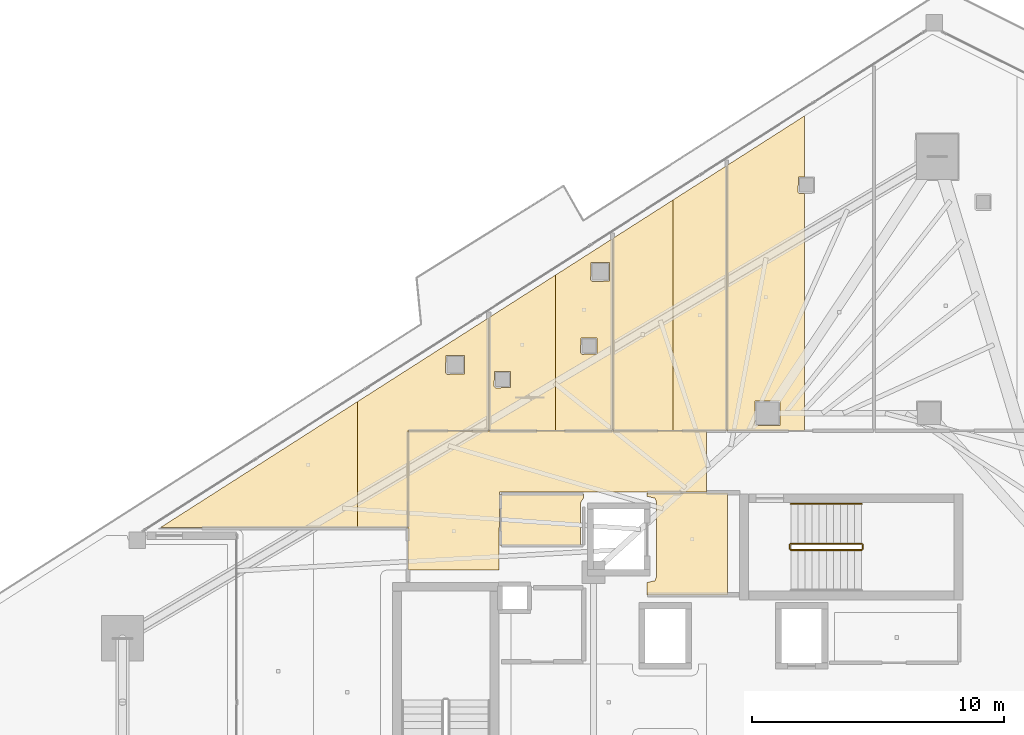
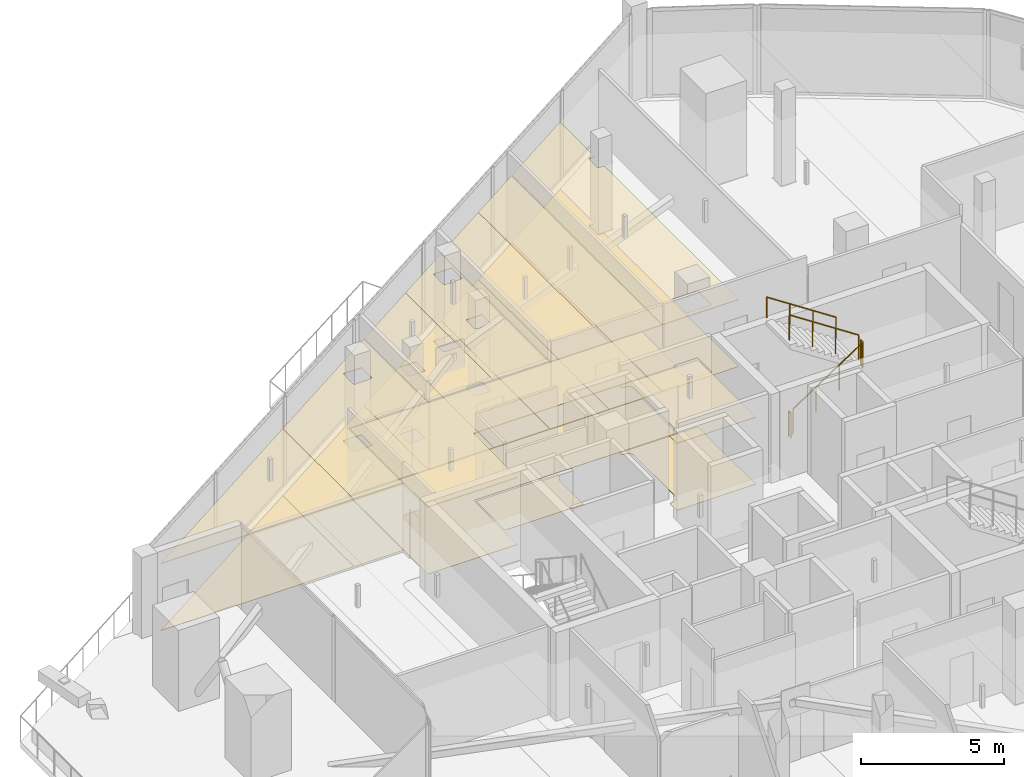
# One storey, part 39 of 40: 19 coverings, 5 railings.
"""IFC4 building model written with IfcOpenShell, lengths in metres."""

from ifc_helpers import new_model, si_unit, direction, frame, origin, origin_2d, place, context, subcontext, project, spatial, polyline, circle, outline, extrude, material, layer, layer_set, type_object, element, save


model = new_model("IFC4")

# Units and contexts
model_context = context("Model", 3, precision=1e-05, world=origin(), true_north=direction((0.0, 1.0)))
body_context = subcontext(model_context, "Body", "Model", "MODEL_VIEW")
ifc_project = project(units=[si_unit("LENGTHUNIT", "METRE"), si_unit("AREAUNIT", "SQUARE_METRE"), si_unit("VOLUMEUNIT", "CUBIC_METRE"), si_unit("PLANEANGLEUNIT", "RADIAN"), si_unit("MASSUNIT", "GRAM", prefix="KILO")], contexts=[model_context])

# Site, building, storey
site_placement = place(None, origin())
site = spatial("IfcSite", under=ifc_project, at=site_placement, CompositionType="ELEMENT")
building_placement = place(site_placement, origin())
building = spatial("IfcBuilding", under=site, at=building_placement, Name="Qorvath Tower", CompositionType="ELEMENT")
storey_placement = place(building_placement, frame((0.0, 0.0, 225.300048828125)))
storey = spatial("IfcBuildingStorey", under=building, at=storey_placement, Name="L52", CompositionType="ELEMENT", Elevation=225.300048828125)

# Coverings
ifc_material_1 = material(Name="Acoustic mineral fibre ceiling tile", Category="gypsum")
ifc_layer_1 = layer(ifc_material_1, 0.030029296875)
ifc_layer_set_1 = layer_set([ifc_layer_1], Name="COV-CEIL")
covering_type_1 = type_object("IfcCoveringType", Name="COV-CEIL", PredefinedType="CEILING", material=ifc_layer_set_1)
covering_1_placement = place(storey_placement, frame((0.0, 0.0, 2.849853515625)))
element("IfcCovering", 1, at=covering_1_placement, inside=storey, type_object=covering_type_1, Name="L52 Suspended Acoustic Ceiling 001", PredefinedType="CEILING", context=body_context, shape_type="SweptSolid", body=[
    extrude(outline(polyline([(-25.18994140625, 4.2548828125), (-25.18994140625, 8.294921875), (-28.375, 8.294921875), (-28.375, 8.159912109375), (-28.063232421875, 8.086669921875), (-27.989990234375, 7.909912109375), (-27.989990234375, 4.989990234375), (-28.063232421875, 4.813232421875), (-28.375, 4.739990234375), (-28.375, 4.2548828125), (-25.18994140625, 4.2548828125)])), origin(), (0.0, 0.0, 1.0), 0.030029296875),
])
covering_2_placement = place(storey_placement, frame((0.0, 0.0, 2.849853515625)))
element("IfcCovering", 2, at=covering_2_placement, inside=storey, type_object=covering_type_1, Name="L52 Suspended Acoustic Ceiling 010", PredefinedType="CEILING", context=body_context, shape_type="SweptSolid", body=[
    extrude(outline(polyline([(-26.019775390625, 8.324951171875), (-26.019775390625, 10.7451171875), (-37.844970703125, 10.7451171875), (-37.844970703125, 5.239990234375), (-34.2509765625, 5.239990234375), (-34.219970703125, 8.324951171875), (-26.019775390625, 8.324951171875)])), origin(), (0.0, 0.0, 1.0), 0.030029296875),
])
covering_3_placement = place(storey_placement, frame((0.0, 0.0, 2.849853515625)))
element("IfcCovering", 3, at=covering_3_placement, inside=storey, type_object=covering_type_1, Name="L52 Suspended Acoustic Ceiling 012", PredefinedType="CEILING", context=body_context, shape_type="SweptSolid", body=[
    extrude(outline(polyline([(-32.0048828125, 10.762939453125), (-32.0048828125, 16.93017578125), (-34.64501953125, 15.24267578125), (-34.64501953125, 10.762939453125), (-32.0048828125, 10.762939453125)]), holes=[polyline([(-34.439208984375, 12.517578125), (-34.421630859375, 13.10986328125), (-33.786865234375, 13.10986328125), (-33.786865234375, 12.47509765625), (-34.379150390625, 12.45751953125), (-34.439208984375, 12.517578125)])]), origin(), (0.0, 0.0, 1.0), 0.030029296875),
])
covering_4_placement = place(storey_placement, frame((0.0, 0.0, 2.849853515625)))
element("IfcCovering", 4, at=covering_4_placement, inside=storey, type_object=covering_type_1, Name="L52 Suspended Acoustic Ceiling 013", PredefinedType="CEILING", context=body_context, shape_type="SweptSolid", body=[
    extrude(outline(polyline([(-29.743896484375, 10.762939453125), (-29.743896484375, 18.375244140625), (-32.0048828125, 16.93017578125), (-32.0048828125, 10.762939453125), (-29.743896484375, 10.762939453125)]), holes=[polyline([(-30.60986328125, 16.734619140625), (-30.59228515625, 17.427001953125), (-29.857421875, 17.427001953125), (-29.857421875, 16.692138671875), (-30.5498046875, 16.674560546875), (-30.60986328125, 16.734619140625)]), polyline([(-31.01220703125, 13.849365234375), (-30.99462890625, 14.441650390625), (-30.35986328125, 14.441650390625), (-30.35986328125, 13.806884765625), (-30.9521484375, 13.789306640625), (-31.01220703125, 13.849365234375)])]), origin(), (0.0, 0.0, 1.0), 0.030029296875),
])
covering_5_placement = place(storey_placement, frame((0.0, 0.0, 2.849853515625)))
element("IfcCovering", 5, at=covering_5_placement, inside=storey, type_object=covering_type_1, Name="L52 Suspended Acoustic Ceiling 014", PredefinedType="CEILING", context=body_context, shape_type="SweptSolid", body=[
    extrude(outline(polyline([(-29.725830078125, 10.762939453125), (-27.3525390625, 10.762939453125), (-27.3525390625, 19.903564453125), (-29.725830078125, 18.38671875), (-29.725830078125, 10.762939453125)])), origin(), (0.0, 0.0, 1.0), 0.030029296875),
])
covering_6_placement = place(storey_placement, frame((0.0, 0.0, 2.849853515625)))
element("IfcCovering", 6, at=covering_6_placement, inside=storey, type_object=covering_type_1, Name="L52 Suspended Acoustic Ceiling 015", PredefinedType="CEILING", context=body_context, shape_type="SweptSolid", body=[
    extrude(outline(polyline([(-27.3525390625, 19.903564453125), (-27.3525390625, 10.762939453125), (-25.218017578125, 10.762939453125), (-25.218017578125, 21.267822265625), (-27.3525390625, 19.903564453125)])), origin(), (0.0, 0.0, 1.0), 0.030029296875),
])
covering_7_placement = place(storey_placement, frame((0.0, 0.0, 2.849853515625)))
element("IfcCovering", 7, at=covering_7_placement, inside=storey, type_object=covering_type_1, Name="L52 Suspended Acoustic Ceiling 016", PredefinedType="CEILING", context=body_context, shape_type="SweptSolid", body=[
    extrude(outline(polyline([(-25.199951171875, 10.762939453125), (-22.124267578125, 10.762939453125), (-22.124267578125, 20.166015625), (-22.328125, 20.159912109375), (-22.38818359375, 20.219970703125), (-22.37060546875, 20.812255859375), (-22.124267578125, 20.812255859375), (-22.124267578125, 23.2451171875), (-25.199951171875, 21.279296875), (-25.199951171875, 10.762939453125)]), holes=[polyline([(-24.092529296875, 10.95751953125), (-24.092529296875, 11.9423828125), (-23.107666015625, 11.9423828125), (-23.107666015625, 10.95751953125), (-24.092529296875, 10.95751953125)])]), origin(), (0.0, 0.0, 1.0), 0.030029296875),
])
covering_8_placement = place(storey_placement, frame((0.0, 0.0, 2.849853515625)))
element("IfcCovering", 8, at=covering_8_placement, inside=storey, type_object=covering_type_1, Name="L52 Suspended Acoustic Ceiling 043", PredefinedType="CEILING", context=body_context, shape_type="SweptSolid", body=[
    extrude(outline(polyline([(-39.851318359375, 6.923828125), (-39.851318359375, 11.915283203125), (-47.6611328125, 6.923828125), (-39.851318359375, 6.923828125)])), origin(), (0.0, 0.0, 1.0), 0.030029296875),
])
covering_9_placement = place(storey_placement, frame((0.0, 0.0, 2.849853515625)))
element("IfcCovering", 9, at=covering_9_placement, inside=storey, type_object=covering_type_1, Name="L52 Suspended Acoustic Ceiling 044", PredefinedType="CEILING", context=body_context, shape_type="SweptSolid", body=[
    extrude(outline(polyline([(-37.85791015625, 10.762939453125), (-34.6630859375, 10.762939453125), (-34.6630859375, 15.231201171875), (-39.851318359375, 11.915283203125), (-39.851318359375, 6.923828125), (-37.863037109375, 6.923828125), (-37.85791015625, 10.762939453125)]), holes=[polyline([(-36.36572265625, 13.055908203125), (-36.34814453125, 13.748291015625), (-35.61328125, 13.748291015625), (-35.61328125, 13.013427734375), (-36.3056640625, 12.995849609375), (-36.36572265625, 13.055908203125)])]), origin(), (0.0, 0.0, 1.0), 0.030029296875),
])
ifc_material_2 = material(Name="Low-VOC modular carpet tile", Category="textile")
ifc_layer_2 = layer(ifc_material_2, 0.014892578125)
ifc_layer_set_2 = layer_set([ifc_layer_2], Name="COV-FLOOR-CPT")
covering_type_2 = type_object("IfcCoveringType", Name="COV-FLOOR-CPT", PredefinedType="FLOORING", material=ifc_layer_set_2)
covering_10_placement = place(storey_placement, origin())
element("IfcCovering", 10, at=covering_10_placement, inside=storey, type_object=covering_type_2, Name="L52 Floor Finish 012", PredefinedType="FLOORING", context=body_context, shape_type="SweptSolid", body=[
    extrude(outline(polyline([(-32.0048828125, 10.762939453125), (-32.0048828125, 16.93017578125), (-34.64501953125, 15.24267578125), (-34.64501953125, 10.762939453125), (-32.0048828125, 10.762939453125)]), holes=[polyline([(-34.439208984375, 12.517578125), (-34.421630859375, 13.10986328125), (-33.786865234375, 13.10986328125), (-33.786865234375, 12.47509765625), (-34.379150390625, 12.45751953125), (-34.439208984375, 12.517578125)])]), origin(), (0.0, 0.0, 1.0), 0.014892578125),
])
covering_11_placement = place(storey_placement, origin())
element("IfcCovering", 11, at=covering_11_placement, inside=storey, type_object=covering_type_2, Name="L52 Floor Finish 013", PredefinedType="FLOORING", context=body_context, shape_type="SweptSolid", body=[
    extrude(outline(polyline([(-29.743896484375, 10.762939453125), (-29.743896484375, 18.375244140625), (-32.0048828125, 16.93017578125), (-32.0048828125, 10.762939453125), (-29.743896484375, 10.762939453125)]), holes=[polyline([(-30.60986328125, 16.734619140625), (-30.59228515625, 17.427001953125), (-29.857421875, 17.427001953125), (-29.857421875, 16.692138671875), (-30.5498046875, 16.674560546875), (-30.60986328125, 16.734619140625)]), polyline([(-31.01220703125, 13.849365234375), (-30.99462890625, 14.441650390625), (-30.35986328125, 14.441650390625), (-30.35986328125, 13.806884765625), (-30.9521484375, 13.789306640625), (-31.01220703125, 13.849365234375)])]), origin(), (0.0, 0.0, 1.0), 0.014892578125),
])
covering_12_placement = place(storey_placement, origin())
element("IfcCovering", 12, at=covering_12_placement, inside=storey, type_object=covering_type_2, Name="L52 Floor Finish 014", PredefinedType="FLOORING", context=body_context, shape_type="SweptSolid", body=[
    extrude(outline(polyline([(-29.725830078125, 10.762939453125), (-27.3525390625, 10.762939453125), (-27.3525390625, 19.903564453125), (-29.725830078125, 18.38671875), (-29.725830078125, 10.762939453125)])), origin(), (0.0, 0.0, 1.0), 0.014892578125),
])
covering_13_placement = place(storey_placement, origin())
element("IfcCovering", 13, at=covering_13_placement, inside=storey, type_object=covering_type_2, Name="L52 Floor Finish 015", PredefinedType="FLOORING", context=body_context, shape_type="SweptSolid", body=[
    extrude(outline(polyline([(-27.3525390625, 19.903564453125), (-27.3525390625, 10.762939453125), (-25.218017578125, 10.762939453125), (-25.218017578125, 21.267822265625), (-27.3525390625, 19.903564453125)])), origin(), (0.0, 0.0, 1.0), 0.014892578125),
])
covering_14_placement = place(storey_placement, origin())
element("IfcCovering", 14, at=covering_14_placement, inside=storey, type_object=covering_type_2, Name="L52 Floor Finish 016", PredefinedType="FLOORING", context=body_context, shape_type="SweptSolid", body=[
    extrude(outline(polyline([(-25.199951171875, 10.762939453125), (-22.124267578125, 10.762939453125), (-22.124267578125, 20.166015625), (-22.328125, 20.159912109375), (-22.38818359375, 20.219970703125), (-22.37060546875, 20.812255859375), (-22.124267578125, 20.812255859375), (-22.124267578125, 23.2451171875), (-25.199951171875, 21.279296875), (-25.199951171875, 10.762939453125)]), holes=[polyline([(-24.092529296875, 10.95751953125), (-24.092529296875, 11.9423828125), (-23.107666015625, 11.9423828125), (-23.107666015625, 10.95751953125), (-24.092529296875, 10.95751953125)])]), origin(), (0.0, 0.0, 1.0), 0.014892578125),
])
covering_15_placement = place(storey_placement, origin())
element("IfcCovering", 15, at=covering_15_placement, inside=storey, type_object=covering_type_2, Name="L52 Floor Finish 043", PredefinedType="FLOORING", context=body_context, shape_type="SweptSolid", body=[
    extrude(outline(polyline([(-39.851318359375, 6.923828125), (-39.851318359375, 11.915283203125), (-47.6611328125, 6.923828125), (-39.851318359375, 6.923828125)])), origin(), (0.0, 0.0, 1.0), 0.014892578125),
])
covering_16_placement = place(storey_placement, origin())
element("IfcCovering", 16, at=covering_16_placement, inside=storey, type_object=covering_type_2, Name="L52 Floor Finish 044", PredefinedType="FLOORING", context=body_context, shape_type="SweptSolid", body=[
    extrude(outline(polyline([(-37.85791015625, 10.762939453125), (-34.6630859375, 10.762939453125), (-34.6630859375, 15.231201171875), (-39.851318359375, 11.915283203125), (-39.851318359375, 6.923828125), (-37.863037109375, 6.923828125), (-37.85791015625, 10.762939453125)]), holes=[polyline([(-36.36572265625, 13.055908203125), (-36.34814453125, 13.748291015625), (-35.61328125, 13.748291015625), (-35.61328125, 13.013427734375), (-36.3056640625, 12.995849609375), (-36.36572265625, 13.055908203125)])]), origin(), (0.0, 0.0, 1.0), 0.014892578125),
])
ifc_material_3 = material(Name="Polished epoxy terrazzo flooring", Category="concrete")
ifc_layer_3 = layer(ifc_material_3, 0.02001953125)
ifc_layer_set_3 = layer_set([ifc_layer_3], Name="COV-FLOOR-TRZ")
covering_type_3 = type_object("IfcCoveringType", Name="COV-FLOOR-TRZ", PredefinedType="FLOORING", material=ifc_layer_set_3)
covering_17_placement = place(storey_placement, origin())
element("IfcCovering", 17, at=covering_17_placement, inside=storey, type_object=covering_type_3, Name="L52 Floor Finish 001", PredefinedType="FLOORING", context=body_context, shape_type="SweptSolid", body=[
    extrude(outline(polyline([(-25.18994140625, 4.2548828125), (-25.18994140625, 8.294921875), (-28.375, 8.294921875), (-28.375, 8.159912109375), (-28.063232421875, 8.086669921875), (-27.989990234375, 7.909912109375), (-27.989990234375, 4.989990234375), (-28.063232421875, 4.813232421875), (-28.375, 4.739990234375), (-28.375, 4.2548828125), (-25.18994140625, 4.2548828125)])), origin(), (0.0, 0.0, 1.0), 0.014892578125),
])
covering_18_placement = place(storey_placement, origin())
element("IfcCovering", 18, at=covering_18_placement, inside=storey, type_object=covering_type_3, Name="L52 Floor Finish 005", PredefinedType="FLOORING", context=body_context, shape_type="SweptSolid", body=[
    extrude(outline(polyline([(-31.010009765625, 6.205078125), (-31.010009765625, 7.909912109375), (-30.885009765625, 8.108154296875), (-30.885009765625, 8.2451171875), (-34.175048828125, 8.2451171875), (-34.175048828125, 6.205078125), (-31.010009765625, 6.205078125)])), origin(), (0.0, 0.0, 1.0), 0.014892578125),
])
covering_19_placement = place(storey_placement, origin())
element("IfcCovering", 19, at=covering_19_placement, inside=storey, type_object=covering_type_3, Name="L52 Floor Finish 010", PredefinedType="FLOORING", context=body_context, shape_type="SweptSolid", body=[
    extrude(outline(polyline([(-26.019775390625, 8.324951171875), (-26.019775390625, 10.7451171875), (-37.844970703125, 10.7451171875), (-37.844970703125, 5.239990234375), (-34.2509765625, 5.239990234375), (-34.219970703125, 8.324951171875), (-26.019775390625, 8.324951171875)])), origin(), (0.0, 0.0, 1.0), 0.014892578125),
])

# Railings
ifc_material_4 = material(Name="Painted galvanised steel", Category="steel")
railing_type_1 = type_object("IfcRailingType", Name="RL-STR-GRD", PredefinedType="GUARDRAIL", material=ifc_material_4)
railing_1_placement = place(storey_placement, frame((-22.669921875, 6.030029296875, 0.18408203125)))
element("IfcRailing", 20, at=railing_1_placement, inside=storey, type_object=railing_type_1, Name="L52 TS1 stair guard 1", PredefinedType="GUARDRAIL", context=body_context, shape_type="SweptSolid", body=[
    extrude(circle(Radius=0.02392578125, at=origin_2d()), frame((0.0, 0.0, 1.076171875), z_axis=(0.835575518608, 0.0, 0.549375602573), x_axis=(0.0, 1.0, 0.0)), (0.0, 0.0, 1.0), 3.350830078125),
    extrude(circle(Radius=0.02099609375, at=origin_2d()), origin(), (0.0, 0.0, 1.0), 1.052001953125),
    extrude(circle(Radius=0.02099609375, at=origin_2d()), frame((0.933349609375, 0.0, 0.613525390625)), (0.0, 0.0, 1.0), 1.052001953125),
    extrude(circle(Radius=0.02099609375, at=origin_2d()), frame((1.866455078125, 0.0, 1.227294921875)), (0.0, 0.0, 1.0), 1.052001953125),
    extrude(circle(Radius=0.02099609375, at=origin_2d()), frame((2.7998046875, 0.0, 1.8408203125)), (0.0, 0.0, 1.0), 1.052001953125),
])
railing_2_placement = place(storey_placement, frame((-19.820068359375, 6.080078125, 2.02490234375)))
element("IfcRailing", 21, at=railing_2_placement, inside=storey, type_object=railing_type_1, Name="L52 TS1 stair guard 2", PredefinedType="GUARDRAIL", context=body_context, shape_type="SweptSolid", body=[
    extrude(circle(Radius=0.02392578125, at=origin_2d()), frame((0.0, 0.0, 1.076171875), z_axis=(0.0, 1.0, 0.0), x_axis=(-1.0, 0.0, 0.0)), (0.0, 0.0, 1.0), 0.14990234375),
    extrude(circle(Radius=0.02099609375, at=origin_2d()), origin(), (0.0, 0.0, 1.0), 1.052001953125),
    extrude(circle(Radius=0.02099609375, at=origin_2d()), frame((0.0, 0.14990234375, 0.0)), (0.0, 0.0, 1.0), 1.052001953125),
])
railing_3_placement = place(storey_placement, frame((-19.8701171875, 6.280029296875, 2.208984375)))
element("IfcRailing", 22, at=railing_3_placement, inside=storey, type_object=railing_type_1, Name="L52 TS1 stair guard 3", PredefinedType="GUARDRAIL", context=body_context, shape_type="SweptSolid", body=[
    extrude(circle(Radius=0.02392578125, at=origin_2d()), frame((0.0, 0.0, 1.076171875), z_axis=(-0.835542071712, 0.0, 0.549426470421), x_axis=(0.0, -1.0, 0.0)), (0.0, 0.0, 1.0), 3.350830078125),
    extrude(circle(Radius=0.02099609375, at=origin_2d()), origin(), (0.0, 0.0, 1.0), 1.052001953125),
    extrude(circle(Radius=0.02099609375, at=origin_2d()), frame((-0.933349609375, 0.0, 0.61376953125)), (0.0, 0.0, 1.0), 1.052001953125),
    extrude(circle(Radius=0.02099609375, at=origin_2d()), frame((-1.866455078125, 0.0, 1.227294921875)), (0.0, 0.0, 1.0), 1.052001953125),
    extrude(circle(Radius=0.02099609375, at=origin_2d()), frame((-2.7998046875, 0.0, 1.841064453125)), (0.0, 0.0, 1.0), 1.052001953125),
])
railing_4_placement = place(storey_placement, frame((-22.719970703125, 6.080078125, 0.0)))
element("IfcRailing", 23, at=railing_4_placement, inside=storey, type_object=railing_type_1, Name="L52 TS1 stair guard 4", PredefinedType="GUARDRAIL", context=body_context, shape_type="SweptSolid", body=[
    extrude(circle(Radius=0.02392578125, at=origin_2d()), frame((0.0, 0.0, 1.076171875), z_axis=(0.0, 1.0, 0.0), x_axis=(-1.0, 0.0, 0.0)), (0.0, 0.0, 1.0), 0.14990234375),
    extrude(circle(Radius=0.02099609375, at=origin_2d()), origin(), (0.0, 0.0, 1.0), 1.052001953125),
    extrude(circle(Radius=0.02099609375, at=origin_2d()), frame((0.0, 0.14990234375, 0.0)), (0.0, 0.0, 1.0), 1.052001953125),
])
ifc_material_5 = material(Name="Brushed stainless steel AISI 304", Category="steel")
railing_type_2 = type_object("IfcRailingType", Name="RL-STR-HND", PredefinedType="HANDRAIL", material=ifc_material_5)
railing_5_placement = place(storey_placement, frame((-19.8701171875, 7.860107421875, 2.208984375)))
element("IfcRailing", 24, at=railing_5_placement, inside=storey, type_object=railing_type_2, Name="L52 TS1 stair handrail 2", PredefinedType="HANDRAIL", context=body_context, shape_type="SweptSolid", body=[
    extrude(circle(Radius=0.02392578125, at=origin_2d()), frame((0.0, 0.0, 0.8759765625), z_axis=(-0.835542071712, 0.0, 0.549426470421), x_axis=(0.0, -1.0, 0.0)), (0.0, 0.0, 1.0), 3.350830078125),
    extrude(circle(Radius=0.02099609375, at=origin_2d()), origin(), (0.0, 0.0, 1.0), 0.851806640625),
    extrude(circle(Radius=0.02099609375, at=origin_2d()), frame((-0.933349609375, 0.0, 0.61376953125)), (0.0, 0.0, 1.0), 0.851806640625),
    extrude(circle(Radius=0.02099609375, at=origin_2d()), frame((-1.866455078125, 0.0, 1.227294921875)), (0.0, 0.0, 1.0), 0.851806640625),
    extrude(circle(Radius=0.02099609375, at=origin_2d()), frame((-2.7998046875, 0.0, 1.841064453125)), (0.0, 0.0, 1.0), 0.851806640625),
])

save(model, "model.ifc")
